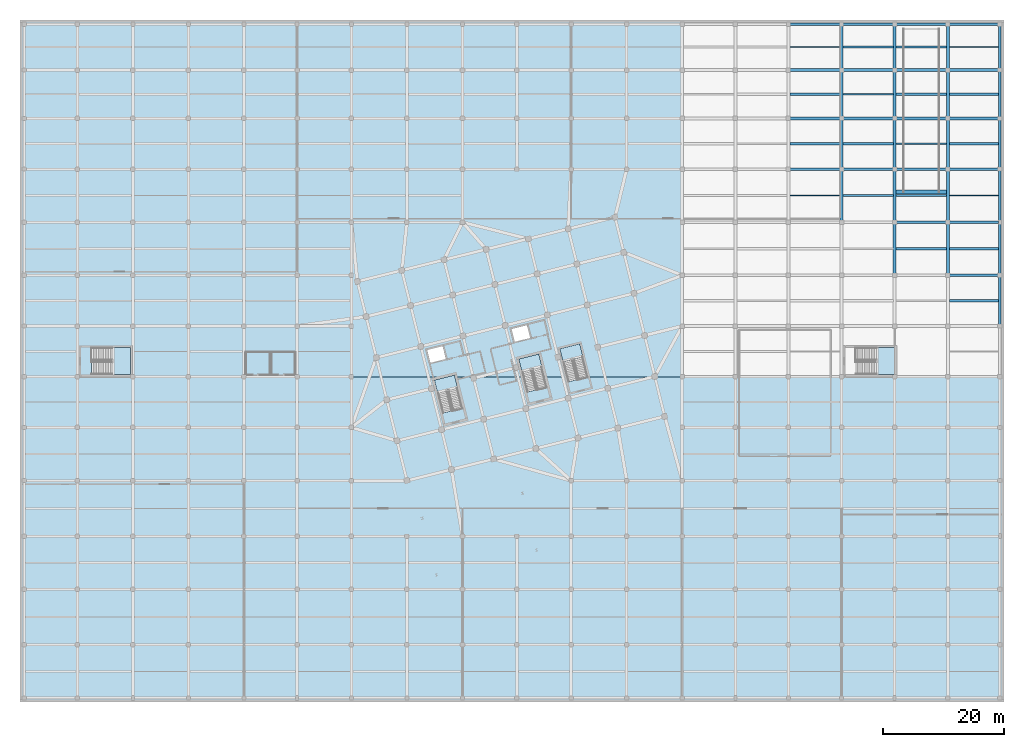
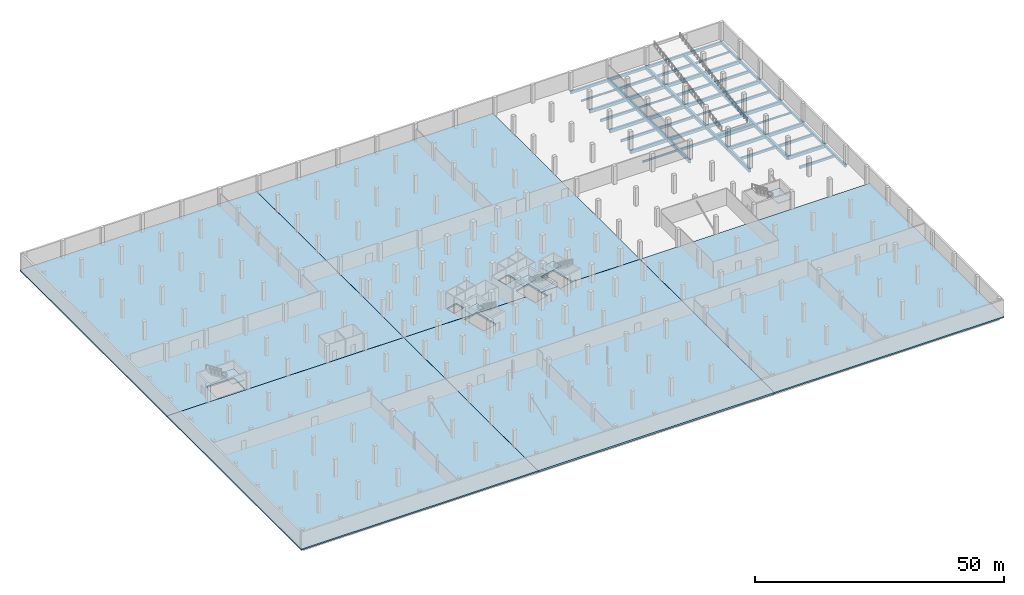
# One storey, part 16 of 31: 59 beams, 10 slabs, 5 elements without a shape of their own.
"""IFC4 building model written with IfcOpenShell, lengths in metres."""

import ifcopenshell
import ifcopenshell.guid

model = None  # the IFC model being written
_history = None  # IfcOwnerHistory: only IFC2X3 demands one
_inside = {}  # id of a spatial element -> (the spatial element, [elements in it])
_under = {}  # id of a project, library or spatial element -> (it, [spatial elements below it])
_declared = {}  # id of a project -> (the project, [libraries it declares])
_typed = {}  # id of a type object -> (the type object, [elements of that type])
_made_of = {}  # id of a material, layer set ... -> (it, [elements and type objects made of it])


def new_model(schema):
    """Start an empty IFC model of exactly this schema.

    Asked for "IFC4X3", IfcOpenShell would pick the latest addendum, in which some entities
    have other attributes; the version numbers below select the first issue.
    IFC2X3 requires an IfcOwnerHistory on every rooted entity: one is made here for all.
    """
    global model, _history
    if schema == "IFC4X3":
        model = ifcopenshell.file(schema_version=(4, 3, 0, 0))
    else:
        model = ifcopenshell.file(schema=schema)
    _inside.clear()
    _under.clear()
    _declared.clear()
    _typed.clear()
    _made_of.clear()
    _history = None
    if model.schema == "IFC2X3":
        org = make("IfcOrganization", Name="unknown")
        user = make(
            "IfcPersonAndOrganization",
            ThePerson=make("IfcPerson", FamilyName="unknown"),
            TheOrganization=org,
        )
        app = make(
            "IfcApplication",
            ApplicationDeveloper=org,
            Version="unknown",
            ApplicationFullName="unknown",
            ApplicationIdentifier="unknown",
        )
        _history = make(
            "IfcOwnerHistory",
            OwningUser=user,
            OwningApplication=app,
            ChangeAction="ADDED",
            CreationDate=0,
        )
    return model


def make(cls, **values):
    """One entity of the class cls with the attributes given. An attribute that is None is left unset."""
    return model.create_entity(
        cls, **{name: value for name, value in values.items() if value is not None}
    )


def rooted(cls, **values):
    """An entity with a GlobalId (a new one), such as an element, a storey or a relation."""
    return make(cls, GlobalId=ifcopenshell.guid.new(), OwnerHistory=_history, **values)


def si_unit(unit_type, name, prefix=None):
    """IfcSIUnit, for example si_unit("LENGTHUNIT", "METRE", prefix="MILLI")."""
    return make("IfcSIUnit", UnitType=unit_type, Prefix=prefix, Name=name)


def assignment(units):
    """IfcUnitAssignment: the units of a project."""
    return None if units is None else make("IfcUnitAssignment", Units=units)


def point(xyz):
    """IfcCartesianPoint."""
    return None if xyz is None else make("IfcCartesianPoint", Coordinates=xyz)


def direction(xyz):
    """IfcDirection."""
    return None if xyz is None else make("IfcDirection", DirectionRatios=xyz)


def frame(location, z_axis=None, x_axis=None):
    """IfcAxis2Placement3D, a coordinate frame: its origin and axes. An axis left out is left unset."""
    return make(
        "IfcAxis2Placement3D",
        Location=point(location),
        Axis=direction(z_axis),
        RefDirection=direction(x_axis),
    )


def frame_2d(location, x_axis=None):
    """IfcAxis2Placement2D, a coordinate frame in the plane: its origin and x axis."""
    return make(
        "IfcAxis2Placement2D", Location=point(location), RefDirection=direction(x_axis)
    )


def origin():
    """The frame at (0, 0, 0) with its axes left unset."""
    return frame((0.0, 0.0, 0.0))


def origin_2d():
    """The frame at (0, 0) in the plane with its x axis left unset."""
    return frame_2d((0.0, 0.0))


def place(relative_to, where):
    """IfcLocalPlacement: puts the frame where relative to a parent placement (None: the world)."""
    return make(
        "IfcLocalPlacement", PlacementRelTo=relative_to, RelativePlacement=where
    )


def context(
    kind, dimensions, precision=None, world=None, true_north=None, identifier=None
):
    """IfcGeometricRepresentationContext, for example the 3D "Model" context."""
    return make(
        "IfcGeometricRepresentationContext",
        ContextIdentifier=identifier,
        ContextType=kind,
        CoordinateSpaceDimension=dimensions,
        Precision=precision,
        WorldCoordinateSystem=world,
        TrueNorth=true_north,
    )


def subcontext(parent, identifier, kind, view, scale=None):
    """IfcGeometricRepresentationSubContext, for example "Body" below "Model"."""
    return make(
        "IfcGeometricRepresentationSubContext",
        ContextIdentifier=identifier,
        ContextType=kind,
        ParentContext=parent,
        TargetScale=scale,
        TargetView=view,
    )


def project(units=None, contexts=None):
    """IfcProject with its units and contexts."""
    return rooted(
        "IfcProject",
        Name="project",
        RepresentationContexts=contexts,
        UnitsInContext=assignment(units),
    )


def spatial(cls, under=None, at=None, **own):
    """A site, building, storey or space (cls), placed at a placement, below another one or the project."""
    s = rooted(cls, ObjectPlacement=at, **own)
    if under is not None:
        _under.setdefault(under.id(), (under, []))[1].append(s)
    return s


def polyline(points):
    """IfcPolyline through the points."""
    return make("IfcPolyline", Points=[point(p) for p in points])


def profile(cls, at=None, kind="AREA", **sizes):
    """A parametric profile (cls). Its sizes go by their IFC names, for example OverallWidth=200.0."""
    return make(cls, ProfileType=kind, Position=at, **sizes)


def rectangle(**sizes):
    """IfcRectangleProfileDef."""
    return profile("IfcRectangleProfileDef", **sizes)


def i_section(**sizes):
    """IfcIShapeProfileDef."""
    return profile("IfcIShapeProfileDef", **sizes)


def outline(outer, holes=None, kind="AREA"):
    """IfcArbitraryClosedProfileDef: a profile drawn as a closed curve; with holes, ...WithVoids."""
    if holes is None:
        return make("IfcArbitraryClosedProfileDef", ProfileType=kind, OuterCurve=outer)
    return make(
        "IfcArbitraryProfileDefWithVoids",
        ProfileType=kind,
        OuterCurve=outer,
        InnerCurves=holes,
    )


def extrude(swept, where, along, depth):
    """IfcExtrudedAreaSolid: the profile swept, set in the frame where, extruded along a direction by depth."""
    return make(
        "IfcExtrudedAreaSolid",
        SweptArea=swept,
        Position=where,
        ExtrudedDirection=direction(along),
        Depth=depth,
    )


def shape(context_of_items, identifier, shape_type, items):
    """IfcShapeRepresentation: the items that make up one representation, for example the "Body"."""
    return make(
        "IfcShapeRepresentation",
        ContextOfItems=context_of_items,
        RepresentationIdentifier=identifier,
        RepresentationType=shape_type,
        Items=items,
    )


def material(Name=None, Category=None):
    """IfcMaterial."""
    return make("IfcMaterial", Name=Name, Category=Category)


def layer(
    of_material, thickness, ventilated=None, Name=None, Category=None, Priority=None
):
    """IfcMaterialLayer: one layer of a wall or slab, of a material (None: an air gap)."""
    return make(
        "IfcMaterialLayer",
        Material=of_material,
        LayerThickness=thickness,
        IsVentilated=ventilated,
        Name=Name,
        Category=Category,
        Priority=Priority,
    )


def layer_set(layers, Name=None):
    """IfcMaterialLayerSet."""
    return make("IfcMaterialLayerSet", MaterialLayers=layers, LayerSetName=Name)


def material_profile(
    of_material, cross_section, Name=None, Category=None, Priority=None
):
    """IfcMaterialProfile: a cross section and its material."""
    return make(
        "IfcMaterialProfile",
        Name=Name,
        Material=of_material,
        Profile=cross_section,
        Priority=Priority,
        Category=Category,
    )


def profile_set(profiles, Name=None, composite=None):
    """IfcMaterialProfileSet."""
    return make(
        "IfcMaterialProfileSet",
        Name=Name,
        MaterialProfiles=profiles,
        CompositeProfile=composite,
    )


def made_of(thing, what):
    """Note that an element or type object is made of a material, layer set ...; save() writes the relation."""
    if what is not None:
        _made_of.setdefault(what.id(), (what, []))[1].append(thing)
    return thing


def type_object(cls, material=None, **own):
    """A type object (cls), such as IfcWallType, which elements share."""
    return made_of(rooted(cls, **own), material)


def element(
    cls,
    number,
    at=None,
    inside=None,
    cuts=None,
    type_object=None,
    material=None,
    context=None,
    identifier="Body",
    shape_type=None,
    held_by="IfcProductDefinitionShape",
    body=None,
    shapes=None,
    **own,
):
    """One element of the class cls, such as IfcWall. Its Tag is "e" and its number.

    at: its placement. inside: the storey or other place that contains it. cuts: it is an
    opening in that element (IfcRelVoidsElement). A single representation is given by context,
    identifier, shape_type and body (its items); several are given by shapes. held_by: the class
    of the entity that holds the representations. save() writes the other relations.
    """
    e = rooted(cls, Tag="e%d" % number, ObjectPlacement=at, **own)
    if body is not None:
        shapes = [shape(context, identifier, shape_type, body)]
    if shapes is not None:
        e.Representation = make(held_by, Representations=shapes)
    if inside is not None:
        _inside.setdefault(inside.id(), (inside, []))[1].append(e)
    if cuts is not None:
        rooted(
            "IfcRelVoidsElement", RelatingBuildingElement=cuts, RelatedOpeningElement=e
        )
    if type_object is not None:
        _typed.setdefault(type_object.id(), (type_object, []))[1].append(e)
    return made_of(e, material)


def aggregate(whole, parts):
    """IfcRelAggregates: a whole, such as a stair, and the parts it consists of."""
    return rooted("IfcRelAggregates", RelatingObject=whole, RelatedObjects=parts)


def save(model, path):
    """Write the relations noted so far, then the file.

    IfcRelAggregates (storeys below a building ...), IfcRelContainedInSpatialStructure (elements
    in a storey), IfcRelDefinesByType, IfcRelAssociatesMaterial and IfcRelDeclares: one each for
    every whole, place, type object, material and project.
    """
    for whole, parts in _under.values():
        aggregate(whole, parts)
    for where, things in _inside.values():
        rooted(
            "IfcRelContainedInSpatialStructure",
            RelatedElements=things,
            RelatingStructure=where,
        )
    for kind, things in _typed.values():
        rooted("IfcRelDefinesByType", RelatedObjects=things, RelatingType=kind)
    for what, things in _made_of.values():
        rooted("IfcRelAssociatesMaterial", RelatedObjects=things, RelatingMaterial=what)
    for by, libraries in _declared.values():
        rooted("IfcRelDeclares", RelatingContext=by, RelatedDefinitions=libraries)
    model.write(path)


model = new_model("IFC4")

# Units and contexts
model_context = context("Model", 3, precision=1e-05, world=origin(), true_north=direction((0.0, 1.0)))
body_context = subcontext(model_context, "Body", "Model", "MODEL_VIEW")
ifc_project = project(units=[si_unit("LENGTHUNIT", "METRE"), si_unit("AREAUNIT", "SQUARE_METRE"), si_unit("VOLUMEUNIT", "CUBIC_METRE"), si_unit("PLANEANGLEUNIT", "RADIAN"), si_unit("MASSUNIT", "GRAM", prefix="KILO")], contexts=[model_context])

# Site, building, storey
site_placement = place(None, origin())
site = spatial("IfcSite", under=ifc_project, at=site_placement, CompositionType="ELEMENT")
building_placement = place(site_placement, origin())
building = spatial("IfcBuilding", under=site, at=building_placement, Name="Meriwether Solvik Hall", CompositionType="ELEMENT")
storey_placement = place(building_placement, frame((0.0, 0.0, -4.5)))
storey = spatial("IfcBuildingStorey", under=building, at=storey_placement, Name="B01", CompositionType="ELEMENT", Elevation=-4.5)

# Beams
ifc_material_1 = material(Name="Concrete C40/50", Category="concrete")
ifc_material_profile_1 = material_profile(ifc_material_1, rectangle(XDim=0.35009765625, YDim=0.60009765625, at=origin_2d()), Name="RCB-350X600")
ifc_profile_set_1 = profile_set([ifc_material_profile_1], Name="Concrete C40/50")
beam_type_1 = type_object("IfcBeamType", Name="BM-RC-350X600", PredefinedType="JOIST", material=ifc_profile_set_1)
for number, where, z_axis, x_axis, name in (
    (1, (132.044921875, 97.0, -0.6298828125), (1.0, 0.0, 0.0), (0.0, 1.0, 0.0), "Secondary Floor Joist 15/K (B01)"),
    (2, (132.044921875, 105.199951171875, -0.6298828125), (1.0, 0.0, 0.0), (0.0, 1.0, 0.0), "Secondary Floor Joist 15/L (B01)"),
    (3, (140.844970703125, 88.39990234375, -0.6298828125), (1.0, 0.0, 0.0), (0.0, 1.0, 0.0), "Secondary Floor Joist 16/J (B01)"),
    (4, (140.844970703125, 97.0, -0.6298828125), (1.0, 0.0, 0.0), (0.0, 1.0, 0.0), "Secondary Floor Joist 16/K (B01)"),
    (5, (140.844970703125, 113.0, -0.6298828125), (1.0, 0.0, 0.0), (0.0, 1.0, 0.0), "Secondary Floor Joist 16/M (B01)"),
    (6, (149.64501953125, 79.60009765625, -0.6298828125), (1.0, 0.0, 0.0), (0.0, 1.0, 0.0), "Secondary Floor Joist 17/I (B01)"),
    (7, (149.64501953125, 88.39990234375, -0.6298828125), (1.0, 0.0, 0.0), (0.0, 1.0, 0.0), "Secondary Floor Joist 17/J (B01)"),
    (8, (149.64501953125, 105.199951171875, -0.6298828125), (1.0, 0.0, 0.0), (0.0, 1.0, 0.0), "Secondary Floor Joist 17/L (B01)"),
    (9, (149.64501953125, 113.0, -0.6298828125), (1.0, 0.0, 0.0), (0.0, 1.0, 0.0), "Secondary Floor Joist 17/M (B01)"),
):
    element("IfcBeam", number, at=place(storey_placement, frame(where, z_axis=z_axis, x_axis=x_axis)), inside=storey, type_object=beam_type_1, Name=name, PredefinedType="JOIST", context=body_context, shape_type="SweptSolid", body=[
        extrude(rectangle(XDim=0.35009765625, YDim=0.60009765625, at=origin_2d()), origin(), (0.0, 0.0, 1.0), 8.31005859375),
    ])
for number, where, z_axis, x_axis, name in (
    (10, (158.445068359375, 71.0, -0.6298828125), (1.0, 0.0, 0.0), (0.0, 1.0, 0.0), "Secondary Floor Joist 18/H (B01)"),
    (11, (158.445068359375, 79.60009765625, -0.6298828125), (1.0, 0.0, 0.0), (0.0, 1.0, 0.0), "Secondary Floor Joist 18/I (B01)"),
    (12, (158.445068359375, 97.0, -0.6298828125), (1.0, 0.0, 0.0), (0.0, 1.0, 0.0), "Secondary Floor Joist 18/K (B01)"),
    (13, (158.445068359375, 105.199951171875, -0.6298828125), (1.0, 0.0, 0.0), (0.0, 1.0, 0.0), "Secondary Floor Joist 18/L (B01)"),
):
    element("IfcBeam", number, at=place(storey_placement, frame(where, z_axis=z_axis, x_axis=x_axis)), inside=storey, type_object=beam_type_1, Name=name, PredefinedType="JOIST", context=body_context, shape_type="SweptSolid", body=[
        extrude(rectangle(XDim=0.35009765625, YDim=0.60009765625, at=origin_2d()), origin(), (0.0, 0.0, 1.0), 8.159912109375),
    ])
ifc_material_2 = material(Name="Concrete C40/50", Category="concrete")
ifc_material_profile_2 = material_profile(ifc_material_2, rectangle(XDim=0.39990234375, YDim=0.64990234375, at=origin_2d()), Name="RCB-400X650")
ifc_profile_set_2 = profile_set([ifc_material_profile_2], Name="Concrete C40/50")
beam_type_2 = type_object("IfcBeamType", Name="BM-RC-400X650", PredefinedType="SPANDREL", material=ifc_profile_set_2)
beam_1_placement = place(storey_placement, frame((131.800048828125, 116.800048828125, -0.655029296875), z_axis=(1.0, 0.0, 0.0), x_axis=(0.0, 1.0, 0.0)))
element("IfcBeam", 14, at=beam_1_placement, inside=storey, type_object=beam_type_2, Name="Podium Girder N:15-16 (B01)", PredefinedType="SPANDREL", context=body_context, shape_type="SweptSolid", body=[
    extrude(rectangle(XDim=0.39990234375, YDim=0.64990234375, at=origin_2d()), origin(), (0.0, 0.0, 1.0), 8.800048828125),
])
beam_2_placement = place(storey_placement, frame((140.60009765625, 116.800048828125, -0.655029296875), z_axis=(1.0, 0.0, 0.0), x_axis=(0.0, 1.0, 0.0)))
element("IfcBeam", 15, at=beam_2_placement, inside=storey, type_object=beam_type_2, Name="Podium Girder N:16-17 (B01)", PredefinedType="SPANDREL", context=body_context, shape_type="SweptSolid", body=[
    extrude(rectangle(XDim=0.39990234375, YDim=0.64990234375, at=origin_2d()), origin(), (0.0, 0.0, 1.0), 8.7998046875),
])
beam_3_placement = place(storey_placement, frame((149.39990234375, 116.800048828125, -0.655029296875), z_axis=(1.0, 0.0, 0.0), x_axis=(0.0, 1.0, 0.0)))
element("IfcBeam", 16, at=beam_3_placement, inside=storey, type_object=beam_type_2, Name="Podium Girder N:17-18 (B01)", PredefinedType="SPANDREL", context=body_context, shape_type="SweptSolid", body=[
    extrude(rectangle(XDim=0.39990234375, YDim=0.64990234375, at=origin_2d()), origin(), (0.0, 0.0, 1.0), 8.800048828125),
])
beam_4_placement = place(storey_placement, frame((158.199951171875, 116.800048828125, -0.655029296875), z_axis=(1.0, 0.0, 0.0), x_axis=(0.0, 1.0, 0.0)))
element("IfcBeam", 17, at=beam_4_placement, inside=storey, type_object=beam_type_2, Name="Podium Girder N:18-19 (B01)", PredefinedType="SPANDREL", context=body_context, shape_type="SweptSolid", body=[
    extrude(rectangle(XDim=0.39990234375, YDim=0.64990234375, at=origin_2d()), origin(), (0.0, 0.0, 1.0), 8.60009765625),
])
beam_5_placement = place(storey_placement, frame((166.800048828125, 66.800048828125, -0.655029296875), z_axis=(0.0, 1.0, 0.0), x_axis=(-1.0, 0.0, 0.0)))
element("IfcBeam", 18, at=beam_5_placement, inside=storey, type_object=beam_type_2, Name="Podium Girder 19:H-I (B01)", PredefinedType="SPANDREL", context=body_context, shape_type="SweptSolid", body=[
    extrude(rectangle(XDim=0.39990234375, YDim=0.64990234375, at=origin_2d()), origin(), (0.0, 0.0, 1.0), 8.39990234375),
])
for number, where, z_axis, x_axis, name in (
    (19, (166.800048828125, 75.199951171875, -0.655029296875), (0.0, 1.0, 0.0), (-1.0, 0.0, 0.0), "Podium Girder 19:I-J (B01)"),
    (20, (166.800048828125, 84.0, -0.655029296875), (0.0, 1.0, 0.0), (-1.0, 0.0, 0.0), "Podium Girder 19:J-K (B01)"),
):
    element("IfcBeam", number, at=place(storey_placement, frame(where, z_axis=z_axis, x_axis=x_axis)), inside=storey, type_object=beam_type_2, Name=name, PredefinedType="SPANDREL", context=body_context, shape_type="SweptSolid", body=[
        extrude(rectangle(XDim=0.39990234375, YDim=0.64990234375, at=origin_2d()), origin(), (0.0, 0.0, 1.0), 8.800048828125),
    ])
beam_6_placement = place(storey_placement, frame((166.800048828125, 92.800048828125, -0.655029296875), z_axis=(0.0, 1.0, 0.0), x_axis=(-1.0, 0.0, 0.0)))
element("IfcBeam", 21, at=beam_6_placement, inside=storey, type_object=beam_type_2, Name="Podium Girder 19:K-L (B01)", PredefinedType="SPANDREL", context=body_context, shape_type="SweptSolid", body=[
    extrude(rectangle(XDim=0.39990234375, YDim=0.64990234375, at=origin_2d()), origin(), (0.0, 0.0, 1.0), 8.39990234375),
])
beam_7_placement = place(storey_placement, frame((166.800048828125, 101.199951171875, -0.655029296875), z_axis=(0.0, 1.0, 0.0), x_axis=(-1.0, 0.0, 0.0)))
element("IfcBeam", 22, at=beam_7_placement, inside=storey, type_object=beam_type_2, Name="Podium Girder 19:L-M (B01)", PredefinedType="SPANDREL", context=body_context, shape_type="SweptSolid", body=[
    extrude(rectangle(XDim=0.39990234375, YDim=0.64990234375, at=origin_2d()), origin(), (0.0, 0.0, 1.0), 8.0),
])
beam_8_placement = place(storey_placement, frame((166.800048828125, 109.199951171875, -0.655029296875), z_axis=(0.0, 1.0, 0.0), x_axis=(-1.0, 0.0, 0.0)))
element("IfcBeam", 23, at=beam_8_placement, inside=storey, type_object=beam_type_2, Name="Podium Girder 19:M-N (B01)", PredefinedType="SPANDREL", context=body_context, shape_type="SweptSolid", body=[
    extrude(rectangle(XDim=0.39990234375, YDim=0.64990234375, at=origin_2d()), origin(), (0.0, 0.0, 1.0), 7.60009765625),
])
ifc_material_3 = material(Name="Concrete C40/50", Category="concrete")
ifc_material_profile_3 = material_profile(ifc_material_3, rectangle(XDim=0.449951171875, YDim=0.800048828125, at=origin_2d()), Name="RCB-450X800")
ifc_profile_set_3 = profile_set([ifc_material_profile_3], Name="Concrete C40/50")
beam_type_3 = type_object("IfcBeamType", Name="BM-RC-450X800", PredefinedType="BEAM", material=ifc_profile_set_3)
beam_9_placement = place(storey_placement, frame((158.199951171875, 75.199951171875, -0.72998046875), z_axis=(1.0, 0.0, 0.0), x_axis=(0.0, 1.0, 0.0)))
element("IfcBeam", 24, at=beam_9_placement, inside=storey, type_object=beam_type_3, Name="Podium Girder I:18-19 (B01)", PredefinedType="BEAM", context=body_context, shape_type="SweptSolid", body=[
    extrude(rectangle(XDim=0.449951171875, YDim=0.800048828125, at=origin_2d()), origin(), (0.0, 0.0, 1.0), 8.60009765625),
])
beam_10_placement = place(storey_placement, frame((149.39990234375, 84.0, -0.72998046875), z_axis=(1.0, 0.0, 0.0), x_axis=(0.0, 1.0, 0.0)))
element("IfcBeam", 25, at=beam_10_placement, inside=storey, type_object=beam_type_3, Name="Podium Girder J:17-18 (B01)", PredefinedType="BEAM", context=body_context, shape_type="SweptSolid", body=[
    extrude(rectangle(XDim=0.449951171875, YDim=0.800048828125, at=origin_2d()), origin(), (0.0, 0.0, 1.0), 8.800048828125),
])
beam_11_placement = place(storey_placement, frame((158.199951171875, 84.0, -0.72998046875), z_axis=(1.0, 0.0, 0.0), x_axis=(0.0, 1.0, 0.0)))
element("IfcBeam", 26, at=beam_11_placement, inside=storey, type_object=beam_type_3, Name="Podium Girder J:18-19 (B01)", PredefinedType="BEAM", context=body_context, shape_type="SweptSolid", body=[
    extrude(rectangle(XDim=0.449951171875, YDim=0.800048828125, at=origin_2d()), origin(), (0.0, 0.0, 1.0), 8.60009765625),
])
beam_12_placement = place(storey_placement, frame((131.800048828125, 92.800048828125, -0.72998046875), z_axis=(1.0, 0.0, 0.0), x_axis=(0.0, 1.0, 0.0)))
element("IfcBeam", 27, at=beam_12_placement, inside=storey, type_object=beam_type_3, Name="Podium Girder K:15-16 (B01)", PredefinedType="BEAM", context=body_context, shape_type="SweptSolid", body=[
    extrude(rectangle(XDim=0.449951171875, YDim=0.800048828125, at=origin_2d()), origin(), (0.0, 0.0, 1.0), 8.800048828125),
])
beam_13_placement = place(storey_placement, frame((140.60009765625, 92.800048828125, -0.72998046875), z_axis=(1.0, 0.0, 0.0), x_axis=(0.0, 1.0, 0.0)))
element("IfcBeam", 28, at=beam_13_placement, inside=storey, type_object=beam_type_3, Name="Podium Girder K:16-17 (B01)", PredefinedType="BEAM", context=body_context, shape_type="SweptSolid", body=[
    extrude(rectangle(XDim=0.449951171875, YDim=0.800048828125, at=origin_2d()), origin(), (0.0, 0.0, 1.0), 8.7998046875),
])
beam_14_placement = place(storey_placement, frame((149.39990234375, 92.800048828125, -0.72998046875), z_axis=(1.0, 0.0, 0.0), x_axis=(0.0, 1.0, 0.0)))
element("IfcBeam", 29, at=beam_14_placement, inside=storey, type_object=beam_type_3, Name="Podium Girder K:17-18 (B01)", PredefinedType="BEAM", context=body_context, shape_type="SweptSolid", body=[
    extrude(rectangle(XDim=0.449951171875, YDim=0.800048828125, at=origin_2d()), origin(), (0.0, 0.0, 1.0), 8.800048828125),
])
beam_15_placement = place(storey_placement, frame((158.199951171875, 92.800048828125, -0.72998046875), z_axis=(1.0, 0.0, 0.0), x_axis=(0.0, 1.0, 0.0)))
element("IfcBeam", 30, at=beam_15_placement, inside=storey, type_object=beam_type_3, Name="Podium Girder K:18-19 (B01)", PredefinedType="BEAM", context=body_context, shape_type="SweptSolid", body=[
    extrude(rectangle(XDim=0.449951171875, YDim=0.800048828125, at=origin_2d()), origin(), (0.0, 0.0, 1.0), 8.60009765625),
])
beam_16_placement = place(storey_placement, frame((131.800048828125, 101.199951171875, -0.72998046875), z_axis=(1.0, 0.0, 0.0), x_axis=(0.0, 1.0, 0.0)))
element("IfcBeam", 31, at=beam_16_placement, inside=storey, type_object=beam_type_3, Name="Podium Girder L:15-16 (B01)", PredefinedType="BEAM", context=body_context, shape_type="SweptSolid", body=[
    extrude(rectangle(XDim=0.449951171875, YDim=0.800048828125, at=origin_2d()), origin(), (0.0, 0.0, 1.0), 8.800048828125),
])
beam_17_placement = place(storey_placement, frame((140.60009765625, 101.199951171875, -0.72998046875), z_axis=(1.0, 0.0, 0.0), x_axis=(0.0, 1.0, 0.0)))
element("IfcBeam", 32, at=beam_17_placement, inside=storey, type_object=beam_type_3, Name="Podium Girder L:16-17 (B01)", PredefinedType="BEAM", context=body_context, shape_type="SweptSolid", body=[
    extrude(rectangle(XDim=0.449951171875, YDim=0.800048828125, at=origin_2d()), origin(), (0.0, 0.0, 1.0), 8.7998046875),
])
beam_18_placement = place(storey_placement, frame((149.39990234375, 101.199951171875, -0.72998046875), z_axis=(1.0, 0.0, 0.0), x_axis=(0.0, 1.0, 0.0)))
element("IfcBeam", 33, at=beam_18_placement, inside=storey, type_object=beam_type_3, Name="Podium Girder L:17-18 (B01)", PredefinedType="BEAM", context=body_context, shape_type="SweptSolid", body=[
    extrude(rectangle(XDim=0.449951171875, YDim=0.800048828125, at=origin_2d()), origin(), (0.0, 0.0, 1.0), 8.800048828125),
])
beam_19_placement = place(storey_placement, frame((158.199951171875, 101.199951171875, -0.72998046875), z_axis=(1.0, 0.0, 0.0), x_axis=(0.0, 1.0, 0.0)))
element("IfcBeam", 34, at=beam_19_placement, inside=storey, type_object=beam_type_3, Name="Podium Girder L:18-19 (B01)", PredefinedType="BEAM", context=body_context, shape_type="SweptSolid", body=[
    extrude(rectangle(XDim=0.449951171875, YDim=0.800048828125, at=origin_2d()), origin(), (0.0, 0.0, 1.0), 8.60009765625),
])
beam_20_placement = place(storey_placement, frame((131.800048828125, 109.199951171875, -0.72998046875), z_axis=(1.0, 0.0, 0.0), x_axis=(0.0, 1.0, 0.0)))
element("IfcBeam", 35, at=beam_20_placement, inside=storey, type_object=beam_type_3, Name="Podium Girder M:15-16 (B01)", PredefinedType="BEAM", context=body_context, shape_type="SweptSolid", body=[
    extrude(rectangle(XDim=0.449951171875, YDim=0.800048828125, at=origin_2d()), origin(), (0.0, 0.0, 1.0), 8.800048828125),
])
beam_21_placement = place(storey_placement, frame((140.60009765625, 109.199951171875, -0.72998046875), z_axis=(1.0, 0.0, 0.0), x_axis=(0.0, 1.0, 0.0)))
element("IfcBeam", 36, at=beam_21_placement, inside=storey, type_object=beam_type_3, Name="Podium Girder M:16-17 (B01)", PredefinedType="BEAM", context=body_context, shape_type="SweptSolid", body=[
    extrude(rectangle(XDim=0.449951171875, YDim=0.800048828125, at=origin_2d()), origin(), (0.0, 0.0, 1.0), 8.7998046875),
])
beam_22_placement = place(storey_placement, frame((149.39990234375, 109.199951171875, -0.72998046875), z_axis=(1.0, 0.0, 0.0), x_axis=(0.0, 1.0, 0.0)))
element("IfcBeam", 37, at=beam_22_placement, inside=storey, type_object=beam_type_3, Name="Podium Girder M:17-18 (B01)", PredefinedType="BEAM", context=body_context, shape_type="SweptSolid", body=[
    extrude(rectangle(XDim=0.449951171875, YDim=0.800048828125, at=origin_2d()), origin(), (0.0, 0.0, 1.0), 8.800048828125),
])
beam_23_placement = place(storey_placement, frame((158.199951171875, 109.199951171875, -0.72998046875), z_axis=(1.0, 0.0, 0.0), x_axis=(0.0, 1.0, 0.0)))
element("IfcBeam", 38, at=beam_23_placement, inside=storey, type_object=beam_type_3, Name="Podium Girder M:18-19 (B01)", PredefinedType="BEAM", context=body_context, shape_type="SweptSolid", body=[
    extrude(rectangle(XDim=0.449951171875, YDim=0.800048828125, at=origin_2d()), origin(), (0.0, 0.0, 1.0), 8.60009765625),
])
ifc_material_4 = material(Name="Concrete C40/50", Category="concrete")
ifc_material_profile_4 = material_profile(ifc_material_4, rectangle(XDim=0.5, YDim=0.85009765625, at=origin_2d()), Name="RCB-500X850")
ifc_profile_set_4 = profile_set([ifc_material_profile_4], Name="Concrete C40/50")
beam_type_4 = type_object("IfcBeamType", Name="BM-RC-500X850", PredefinedType="BEAM", material=ifc_profile_set_4)
beam_24_placement = place(storey_placement, frame((140.60009765625, 84.0, -0.7548828125), z_axis=(0.0, 1.0, 0.0), x_axis=(-1.0, 0.0, 0.0)))
element("IfcBeam", 39, at=beam_24_placement, inside=storey, type_object=beam_type_4, Name="Podium Girder 16:J-K (B01)", PredefinedType="BEAM", context=body_context, shape_type="SweptSolid", body=[
    extrude(rectangle(XDim=0.5, YDim=0.85009765625, at=origin_2d()), origin(), (0.0, 0.0, 1.0), 8.800048828125),
])
beam_25_placement = place(storey_placement, frame((140.60009765625, 92.800048828125, -0.7548828125), z_axis=(0.0, 1.0, 0.0), x_axis=(-1.0, 0.0, 0.0)))
element("IfcBeam", 40, at=beam_25_placement, inside=storey, type_object=beam_type_4, Name="Podium Girder 16:K-L (B01)", PredefinedType="BEAM", context=body_context, shape_type="SweptSolid", body=[
    extrude(rectangle(XDim=0.5, YDim=0.85009765625, at=origin_2d()), origin(), (0.0, 0.0, 1.0), 8.39990234375),
])
beam_26_placement = place(storey_placement, frame((140.60009765625, 101.199951171875, -0.7548828125), z_axis=(0.0, 1.0, 0.0), x_axis=(-1.0, 0.0, 0.0)))
element("IfcBeam", 41, at=beam_26_placement, inside=storey, type_object=beam_type_4, Name="Podium Girder 16:L-M (B01)", PredefinedType="BEAM", context=body_context, shape_type="SweptSolid", body=[
    extrude(rectangle(XDim=0.5, YDim=0.85009765625, at=origin_2d()), origin(), (0.0, 0.0, 1.0), 8.0),
])
beam_27_placement = place(storey_placement, frame((140.60009765625, 109.199951171875, -0.7548828125), z_axis=(0.0, 1.0, 0.0), x_axis=(-1.0, 0.0, 0.0)))
element("IfcBeam", 42, at=beam_27_placement, inside=storey, type_object=beam_type_4, Name="Podium Girder 16:M-N (B01)", PredefinedType="BEAM", context=body_context, shape_type="SweptSolid", body=[
    extrude(rectangle(XDim=0.5, YDim=0.85009765625, at=origin_2d()), origin(), (0.0, 0.0, 1.0), 7.60009765625),
])
for number, where, z_axis, x_axis, name in (
    (43, (149.39990234375, 75.199951171875, -0.7548828125), (0.0, 1.0, 0.0), (-1.0, 0.0, 0.0), "Podium Girder 17:I-J (B01)"),
    (44, (149.39990234375, 84.0, -0.7548828125), (0.0, 1.0, 0.0), (-1.0, 0.0, 0.0), "Podium Girder 17:J-K (B01)"),
):
    element("IfcBeam", number, at=place(storey_placement, frame(where, z_axis=z_axis, x_axis=x_axis)), inside=storey, type_object=beam_type_4, Name=name, PredefinedType="BEAM", context=body_context, shape_type="SweptSolid", body=[
        extrude(rectangle(XDim=0.5, YDim=0.85009765625, at=origin_2d()), origin(), (0.0, 0.0, 1.0), 8.800048828125),
    ])
beam_28_placement = place(storey_placement, frame((149.39990234375, 92.800048828125, -0.7548828125), z_axis=(0.0, 1.0, 0.0), x_axis=(-1.0, 0.0, 0.0)))
element("IfcBeam", 45, at=beam_28_placement, inside=storey, type_object=beam_type_4, Name="Podium Girder 17:K-L (B01)", PredefinedType="BEAM", context=body_context, shape_type="SweptSolid", body=[
    extrude(rectangle(XDim=0.5, YDim=0.85009765625, at=origin_2d()), origin(), (0.0, 0.0, 1.0), 8.39990234375),
])
beam_29_placement = place(storey_placement, frame((149.39990234375, 101.199951171875, -0.7548828125), z_axis=(0.0, 1.0, 0.0), x_axis=(-1.0, 0.0, 0.0)))
element("IfcBeam", 46, at=beam_29_placement, inside=storey, type_object=beam_type_4, Name="Podium Girder 17:L-M (B01)", PredefinedType="BEAM", context=body_context, shape_type="SweptSolid", body=[
    extrude(rectangle(XDim=0.5, YDim=0.85009765625, at=origin_2d()), origin(), (0.0, 0.0, 1.0), 8.0),
])
beam_30_placement = place(storey_placement, frame((149.39990234375, 109.199951171875, -0.7548828125), z_axis=(0.0, 1.0, 0.0), x_axis=(-1.0, 0.0, 0.0)))
element("IfcBeam", 47, at=beam_30_placement, inside=storey, type_object=beam_type_4, Name="Podium Girder 17:M-N (B01)", PredefinedType="BEAM", context=body_context, shape_type="SweptSolid", body=[
    extrude(rectangle(XDim=0.5, YDim=0.85009765625, at=origin_2d()), origin(), (0.0, 0.0, 1.0), 7.60009765625),
])
for number, where, z_axis, x_axis, name in (
    (48, (158.199951171875, 75.199951171875, -0.7548828125), (0.0, 1.0, 0.0), (-1.0, 0.0, 0.0), "Podium Girder 18:I-J (B01)"),
    (49, (158.199951171875, 84.0, -0.7548828125), (0.0, 1.0, 0.0), (-1.0, 0.0, 0.0), "Podium Girder 18:J-K (B01)"),
):
    element("IfcBeam", number, at=place(storey_placement, frame(where, z_axis=z_axis, x_axis=x_axis)), inside=storey, type_object=beam_type_4, Name=name, PredefinedType="BEAM", context=body_context, shape_type="SweptSolid", body=[
        extrude(rectangle(XDim=0.5, YDim=0.85009765625, at=origin_2d()), origin(), (0.0, 0.0, 1.0), 8.800048828125),
    ])
beam_31_placement = place(storey_placement, frame((158.199951171875, 92.800048828125, -0.7548828125), z_axis=(0.0, 1.0, 0.0), x_axis=(-1.0, 0.0, 0.0)))
element("IfcBeam", 50, at=beam_31_placement, inside=storey, type_object=beam_type_4, Name="Podium Girder 18:K-L (B01)", PredefinedType="BEAM", context=body_context, shape_type="SweptSolid", body=[
    extrude(rectangle(XDim=0.5, YDim=0.85009765625, at=origin_2d()), origin(), (0.0, 0.0, 1.0), 8.39990234375),
])
beam_32_placement = place(storey_placement, frame((158.199951171875, 101.199951171875, -0.7548828125), z_axis=(0.0, 1.0, 0.0), x_axis=(-1.0, 0.0, 0.0)))
element("IfcBeam", 51, at=beam_32_placement, inside=storey, type_object=beam_type_4, Name="Podium Girder 18:L-M (B01)", PredefinedType="BEAM", context=body_context, shape_type="SweptSolid", body=[
    extrude(rectangle(XDim=0.5, YDim=0.85009765625, at=origin_2d()), origin(), (0.0, 0.0, 1.0), 8.0),
])
beam_33_placement = place(storey_placement, frame((158.199951171875, 109.199951171875, -0.7548828125), z_axis=(0.0, 1.0, 0.0), x_axis=(-1.0, 0.0, 0.0)))
element("IfcBeam", 52, at=beam_33_placement, inside=storey, type_object=beam_type_4, Name="Podium Girder 18:M-N (B01)", PredefinedType="BEAM", context=body_context, shape_type="SweptSolid", body=[
    extrude(rectangle(XDim=0.5, YDim=0.85009765625, at=origin_2d()), origin(), (0.0, 0.0, 1.0), 7.60009765625),
])
ifc_material_5 = material(Name="Concrete C40/50", Category="concrete")
ifc_material_profile_5 = material_profile(ifc_material_5, rectangle(XDim=0.64990234375, YDim=1.10009765625, at=origin_2d()), Name="RCB-650X1100")
ifc_profile_set_5 = profile_set([ifc_material_profile_5], Name="Concrete C40/50")
beam_type_5 = type_object("IfcBeamType", Name="BM-RMP-RC-650X1100", PredefinedType="BEAM", material=ifc_profile_set_5)
beam_34_placement = place(storey_placement, frame((149.39990234375, 89.0, -0.8798828125), z_axis=(1.0, 0.0, 0.0), x_axis=(0.0, 1.0, 0.0)))
element("IfcBeam", 53, at=beam_34_placement, inside=storey, type_object=beam_type_5, Name="Vehicle Ramp Header Girder (B01)", PredefinedType="BEAM", context=body_context, shape_type="SweptSolid", body=[
    extrude(rectangle(XDim=0.64990234375, YDim=1.10009765625, at=origin_2d()), origin(), (0.0, 0.0, 1.0), 8.800048828125),
])
ifc_material_6 = material(Name="Steel A992 Grade 50", Category="steel")
ifc_material_profile_6 = material_profile(ifc_material_6, i_section(OverallWidth=0.19091796875, OverallDepth=0.45703125, WebThickness=0.009033203125, FlangeThickness=0.014404296875, at=origin_2d()), Name="W18X50")
ifc_profile_set_6 = profile_set([ifc_material_profile_6], Name="Steel A992 Grade 50")
beam_type_6 = type_object("IfcBeamType", Name="BM-STL-W18X50", PredefinedType="JOIST", material=ifc_profile_set_6)
for number, where, z_axis, x_axis, name in (
    (54, (132.044921875, 88.39990234375, -0.55859375), (1.0, 0.0, 0.0), (0.0, 1.0, 0.0), "Secondary Floor Joist 15/J (B01)"),
    (55, (132.044921875, 113.0, -0.55859375), (1.0, 0.0, 0.0), (0.0, 1.0, 0.0), "Secondary Floor Joist 15/M (B01)"),
    (56, (140.844970703125, 105.199951171875, -0.55859375), (1.0, 0.0, 0.0), (0.0, 1.0, 0.0), "Secondary Floor Joist 16/L (B01)"),
    (57, (149.64501953125, 97.0, -0.55859375), (1.0, 0.0, 0.0), (0.0, 1.0, 0.0), "Secondary Floor Joist 17/K (B01)"),
):
    element("IfcBeam", number, at=place(storey_placement, frame(where, z_axis=z_axis, x_axis=x_axis)), inside=storey, type_object=beam_type_6, Name=name, PredefinedType="JOIST", context=body_context, shape_type="SweptSolid", body=[
        extrude(i_section(OverallWidth=0.19091796875, OverallDepth=0.45703125, WebThickness=0.009033203125, FlangeThickness=0.014404296875, at=origin_2d()), origin(), (0.0, 0.0, 1.0), 8.31005859375),
    ])
for number, where, z_axis, x_axis, name in (
    (58, (158.445068359375, 88.39990234375, -0.55859375), (1.0, 0.0, 0.0), (0.0, 1.0, 0.0), "Secondary Floor Joist 18/J (B01)"),
    (59, (158.445068359375, 113.0, -0.55859375), (1.0, 0.0, 0.0), (0.0, 1.0, 0.0), "Secondary Floor Joist 18/M (B01)"),
):
    element("IfcBeam", number, at=place(storey_placement, frame(where, z_axis=z_axis, x_axis=x_axis)), inside=storey, type_object=beam_type_6, Name=name, PredefinedType="JOIST", context=body_context, shape_type="SweptSolid", body=[
        extrude(i_section(OverallWidth=0.19091796875, OverallDepth=0.45703125, WebThickness=0.009033203125, FlangeThickness=0.014404296875, at=origin_2d()), origin(), (0.0, 0.0, 1.0), 8.159912109375),
    ])

# Stair, slab
ifc_material_7 = material(Name="Concrete C40/50", Category="concrete")
stair_type_1 = type_object("IfcStairType", Name="STR-CORE-DOGLEG-B", PredefinedType="TWO_STRAIGHT_RUN_STAIR", material=ifc_material_7)
stair_1_placement = place(storey_placement, origin())
stair_1 = element("IfcStair", 60, at=stair_1_placement, inside=storey, type_object=stair_type_1, Name="Exit Stair ST-01 (B01)", PredefinedType="TWO_STRAIGHT_RUN_STAIR")
ifc_material_8 = material(Name="Concrete C40/50", Category="concrete")
ifc_layer_1 = layer(ifc_material_8, 0.199951171875)
ifc_layer_set_1 = layer_set([ifc_layer_1], Name="Concrete C40/50")
slab_type_1 = type_object("IfcSlabType", Name="SLB-LND-200", PredefinedType="LANDING", material=ifc_layer_set_1)
slab_1_placement = place(storey_placement, frame((0.0, 0.0, 2.050048828125)))
slab_1 = element("IfcSlab", 61, at=slab_1_placement, type_object=slab_type_1, Name="Stair ST-01 Half Landing (B01)", PredefinedType="LANDING", context=body_context, shape_type="SweptSolid", body=[
    extrude(outline(polyline([(73.697021484375, 55.664794921875), (77.005859375, 56.48974609375), (76.460693359375, 58.67578125), (73.152099609375, 57.850830078125), (73.697021484375, 55.664794921875)])), origin(), (0.0, 0.0, 1.0), 0.199951171875),
])
aggregate(stair_1, [slab_1])

stair_2_placement = place(storey_placement, origin())
stair_2 = element("IfcStair", 62, at=stair_2_placement, inside=storey, type_object=stair_type_1, Name="Exit Stair ST-02 (B01)", PredefinedType="TWO_STRAIGHT_RUN_STAIR")
slab_2_placement = place(storey_placement, frame((0.0, 0.0, 2.050048828125)))
slab_2 = element("IfcSlab", 63, at=slab_2_placement, type_object=slab_type_1, Name="Stair ST-02 Half Landing (B01)", PredefinedType="LANDING", context=body_context, shape_type="SweptSolid", body=[
    extrude(outline(polyline([(87.66943359375, 59.1484375), (90.97802734375, 59.973388671875), (90.432861328125, 62.159423828125), (87.124267578125, 61.33447265625), (87.66943359375, 59.1484375)])), origin(), (0.0, 0.0, 1.0), 0.199951171875),
])
aggregate(stair_2, [slab_2])

stair_3_placement = place(storey_placement, origin())
stair_3 = element("IfcStair", 64, at=stair_3_placement, inside=storey, type_object=stair_type_1, Name="Exit Stair ST-03 (B01)", PredefinedType="TWO_STRAIGHT_RUN_STAIR")
slab_3_placement = place(storey_placement, frame((0.0, 0.0, 2.050048828125)))
slab_3 = element("IfcSlab", 65, at=slab_3_placement, type_object=slab_type_1, Name="Stair ST-03 Half Landing (B01)", PredefinedType="LANDING", context=body_context, shape_type="SweptSolid", body=[
    extrude(outline(polyline([(94.46142578125, 60.841796875), (97.77001953125, 61.666748046875), (97.22509765625, 63.85302734375), (93.916259765625, 63.028076171875), (94.46142578125, 60.841796875)])), origin(), (0.0, 0.0, 1.0), 0.199951171875),
])
aggregate(stair_3, [slab_3])

ifc_material_9 = material(Name="Concrete C40/50", Category="concrete")
stair_type_2 = type_object("IfcStairType", Name="STR-CORE-WIDE", PredefinedType="TWO_STRAIGHT_RUN_STAIR", material=ifc_material_9)
stair_4_placement = place(storey_placement, origin())
stair_4 = element("IfcStair", 66, at=stair_4_placement, inside=storey, type_object=stair_type_2, Name="Exit Stair ST-04 (B01)", PredefinedType="TWO_STRAIGHT_RUN_STAIR")
slab_4_placement = place(storey_placement, frame((0.0, 0.0, 2.050048828125)))
slab_4 = element("IfcSlab", 67, at=slab_4_placement, type_object=slab_type_1, Name="Stair ST-04 Half Landing (B01)", PredefinedType="LANDING", context=body_context, shape_type="SweptSolid", body=[
    extrude(outline(polyline([(19.751953125, 58.7451171875), (22.804931640625, 58.7451171875), (22.804931640625, 63.2548828125), (19.751953125, 63.2548828125), (19.751953125, 58.7451171875)])), origin(), (0.0, 0.0, 1.0), 0.199951171875),
])
aggregate(stair_4, [slab_4])

stair_5_placement = place(storey_placement, origin())
stair_5 = element("IfcStair", 68, at=stair_5_placement, inside=storey, type_object=stair_type_2, Name="Exit Stair ST-05 (B01)", PredefinedType="TWO_STRAIGHT_RUN_STAIR")
slab_5_placement = place(storey_placement, frame((0.0, 0.0, 2.050048828125)))
slab_5 = element("IfcSlab", 69, at=slab_5_placement, type_object=slab_type_1, Name="Stair ST-05 Half Landing (B01)", PredefinedType="LANDING", context=body_context, shape_type="SweptSolid", body=[
    extrude(outline(polyline([(146.35205078125, 58.7451171875), (149.405029296875, 58.7451171875), (149.405029296875, 63.2548828125), (146.35205078125, 63.2548828125), (146.35205078125, 58.7451171875)])), origin(), (0.0, 0.0, 1.0), 0.199951171875),
])
aggregate(stair_5, [slab_5])

# Slabs
ifc_material_10 = material(Name="Concrete C40/50", Category="concrete")
ifc_layer_2 = layer(ifc_material_10, 0.330078125)
ifc_layer_set_2 = layer_set([ifc_layer_2], Name="Concrete C40/50")
slab_type_2 = type_object("IfcSlabType", Name="SLB-RC-330", PredefinedType="FLOOR", material=ifc_layer_set_2)
slab_6_placement = place(storey_placement, frame((0.0, 0.0, -0.330078125)))
element("IfcSlab", 70, at=slab_6_placement, inside=storey, type_object=slab_type_2, Name="B01 Structural Slab Zone 1", PredefinedType="FLOOR", context=body_context, shape_type="SweptSolid", body=[
    extrude(outline(polyline([(59.39697265625, 4.5), (4.5, 4.5), (4.5, 58.39697265625), (59.39697265625, 58.39697265625), (59.39697265625, 4.5)])), origin(), (0.0, 0.0, 1.0), 0.330078125),
])
slab_7_placement = place(storey_placement, frame((0.0, 0.0, -0.330078125)))
element("IfcSlab", 71, at=slab_7_placement, inside=storey, type_object=slab_type_2, Name="B01 Structural Slab Zone 2", PredefinedType="FLOOR", context=body_context, shape_type="SweptSolid", body=[
    extrude(outline(polyline([(4.5, 58.403076171875), (4.5, 117.5), (59.39697265625, 117.5), (59.39697265625, 58.403076171875), (4.5, 58.403076171875)]), holes=[polyline([(22.800048828125, 63.25), (16.367919921875, 63.25), (16.367919921875, 58.75), (22.800048828125, 58.75), (22.800048828125, 63.25)])]), origin(), (0.0, 0.0, 1.0), 0.330078125),
])
slab_8_placement = place(storey_placement, frame((0.0, 0.0, -0.330078125)))
element("IfcSlab", 72, at=slab_8_placement, inside=storey, type_object=slab_type_2, Name="B01 Structural Slab Zone 5", PredefinedType="FLOOR", context=body_context, shape_type="SweptSolid", body=[
    extrude(outline(polyline([(167.5, 58.39697265625), (167.5, 4.5), (114.202880859375, 4.5), (114.202880859375, 58.39697265625), (167.5, 58.39697265625)])), origin(), (0.0, 0.0, 1.0), 0.330078125),
])
ifc_material_11 = material(Name="Concrete C40/50", Category="concrete")
ifc_layer_3 = layer(ifc_material_11, 0.39990234375)
ifc_layer_set_3 = layer_set([ifc_layer_3], Name="Concrete C40/50")
slab_type_3 = type_object("IfcSlabType", Name="SLB-RC-400", PredefinedType="FLOOR", material=ifc_layer_set_3)
slab_9_placement = place(storey_placement, frame((0.0, 0.0, -0.39990234375)))
element("IfcSlab", 73, at=slab_9_placement, inside=storey, type_object=slab_type_3, Name="B01 Structural Slab Zone 3", PredefinedType="FLOOR", context=body_context, shape_type="SweptSolid", body=[
    extrude(outline(polyline([(75.36328125, 58.39697265625), (73.157958984375, 57.84716796875), (74.5205078125, 52.382568359375), (77.819580078125, 53.205078125), (76.525146484375, 58.39697265625), (87.86181640625, 58.39697265625), (88.492919921875, 55.8662109375), (91.791748046875, 56.688720703125), (91.365966796875, 58.39697265625), (95.076171875, 58.39697265625), (95.284912109375, 57.5595703125), (98.583984375, 58.382080078125), (98.580322265625, 58.39697265625), (114.197021484375, 58.39697265625), (114.197021484375, 4.5), (59.403076171875, 4.5), (59.403076171875, 58.39697265625), (75.36328125, 58.39697265625)])), origin(), (0.0, 0.0, 1.0), 0.39990234375),
])
slab_10_placement = place(storey_placement, frame((0.0, 0.0, -0.39990234375)))
element("IfcSlab", 74, at=slab_10_placement, inside=storey, type_object=slab_type_3, Name="B01 Structural Slab Zone 4", PredefinedType="FLOOR", context=body_context, shape_type="SweptSolid", body=[
    extrude(outline(polyline([(98.57861328125, 58.403076171875), (97.221435546875, 63.846923828125), (93.92236328125, 63.0244140625), (95.07470703125, 58.403076171875), (91.364501953125, 58.403076171875), (90.429443359375, 62.1533203125), (87.13037109375, 61.330810546875), (87.8603515625, 58.403076171875), (76.523681640625, 58.403076171875), (76.45703125, 58.669677734375), (75.38720703125, 58.403076171875), (59.403076171875, 58.403076171875), (59.403076171875, 117.5), (114.197021484375, 117.5), (114.197021484375, 58.403076171875), (98.57861328125, 58.403076171875)]), holes=[polyline([(74.531982421875, 63.497314453125), (71.912109375, 62.84423828125), (72.4443359375, 60.70947265625), (75.064208984375, 61.36279296875), (74.531982421875, 63.497314453125)]), polyline([(88.504150390625, 66.981201171875), (85.884521484375, 66.327880859375), (86.416748046875, 64.193359375), (89.036376953125, 64.846435546875), (88.504150390625, 66.981201171875)])]), origin(), (0.0, 0.0, 1.0), 0.39990234375),
])

save(model, "model.ifc")
